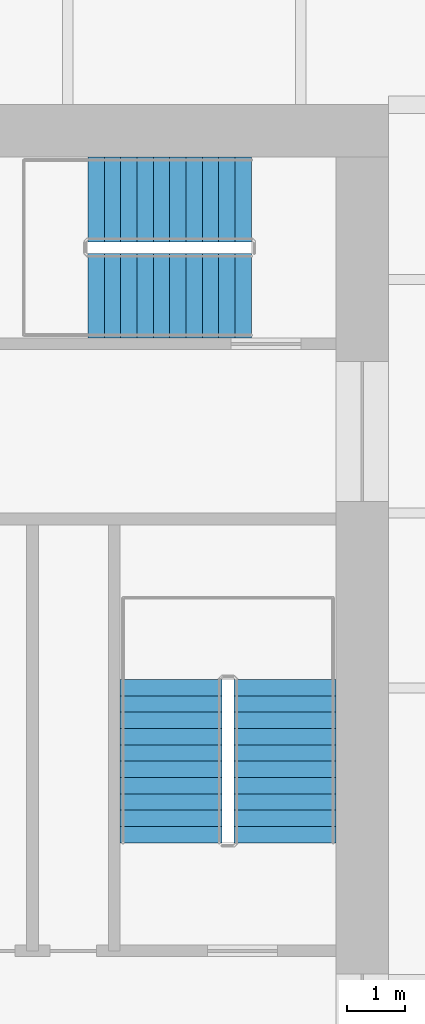
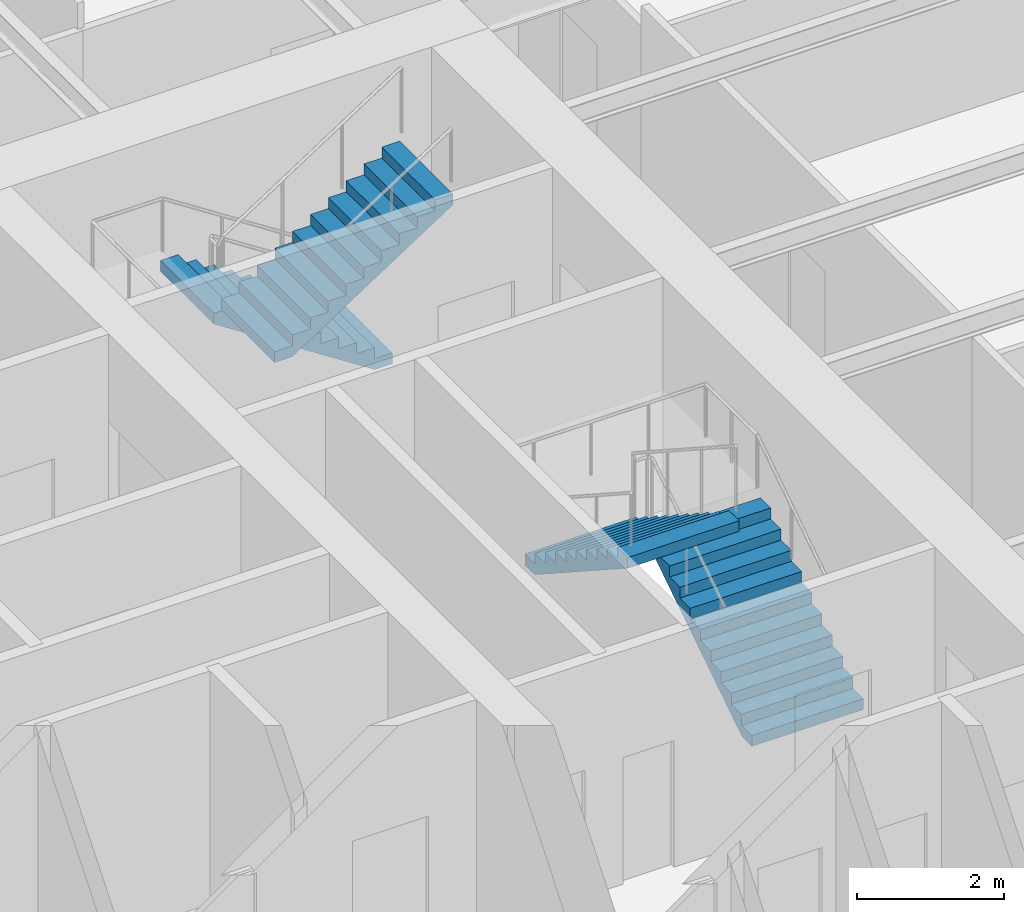
# One storey, part 8 of 10: 4 stair flights, 2 elements without a shape of their own.
"""IFC4 building model written with IfcOpenShell, lengths in metres."""

from ifc_helpers import new_model, si_unit, direction, frame, origin, place, context, subcontext, project, spatial, polyline, outline, extrude, material, type_object, element, aggregate, save


model = new_model("IFC4")

# Units and contexts
model_context = context("Model", 3, precision=1e-05, world=origin(), true_north=direction((0.0, 1.0)))
body_context = subcontext(model_context, "Body", "Model", "MODEL_VIEW")
ifc_project = project(units=[si_unit("LENGTHUNIT", "METRE"), si_unit("AREAUNIT", "SQUARE_METRE"), si_unit("VOLUMEUNIT", "CUBIC_METRE"), si_unit("PLANEANGLEUNIT", "RADIAN"), si_unit("MASSUNIT", "GRAM", prefix="KILO")], contexts=[model_context])

# Site, building, storey
site_placement = place(None, origin())
site = spatial("IfcSite", under=ifc_project, at=site_placement, CompositionType="ELEMENT")
building_placement = place(site_placement, origin())
building = spatial("IfcBuilding", under=site, at=building_placement, Name="Verdant Reach Tower", CompositionType="ELEMENT")
storey_placement = place(building_placement, frame((0.0, 0.0, 198.0)))
storey = spatial("IfcBuildingStorey", under=building, at=storey_placement, Name="L45", CompositionType="ELEMENT", Elevation=198.0)

# Stair, stair flights
ifc_material = material(Name="Concrete C40/50", Category="concrete")
stair_type = type_object("IfcStairType", Name="CO-STAIR", PredefinedType="HALF_TURN_STAIR", material=ifc_material)
stair_1_placement = place(storey_placement, origin())
stair_1 = element("IfcStair", 1, at=stair_1_placement, inside=storey, type_object=stair_type, Name="L45 Exit stair 2", PredefinedType="HALF_TURN_STAIR")
stair_flight_type = type_object("IfcStairFlightType", Name="CO-STAIR-FLIGHT", PredefinedType="STRAIGHT", material=ifc_material)
stair_flight_1_placement = place(storey_placement, frame((11.72509765625, 25.85009765625, 0.0), z_axis=(0.0, 0.0, 1.0), x_axis=(0.0, 1.0, 0.0)))
stair_flight_1 = element("IfcStairFlight", 2, at=stair_flight_1_placement, type_object=stair_flight_type, Name="ST-2 flight 1", NumberOfRisers=11, NumberOfTreads=10, PredefinedType="STRAIGHT", RiserHeight=0.181818182, TreadLength=0.28, context=body_context, shape_type="SweptSolid", body=[
    extrude(outline(polyline([(0.0, 0.0), (0.0, 0.181884765625), (0.280029296875, 0.181884765625), (0.280029296875, 0.363525390625), (0.56005859375, 0.363525390625), (0.56005859375, 0.54541015625), (0.840087890625, 0.54541015625), (0.840087890625, 0.727294921875), (1.1201171875, 0.727294921875), (1.1201171875, 0.9091796875), (1.39990234375, 0.9091796875), (1.39990234375, 1.0908203125), (1.679931640625, 1.0908203125), (1.679931640625, 1.272705078125), (1.9599609375, 1.272705078125), (1.9599609375, 1.45458984375), (2.239990234375, 1.45458984375), (2.239990234375, 1.636474609375), (2.52001953125, 1.636474609375), (2.52001953125, 1.818115234375), (2.800048828125, 1.818115234375), (2.800048828125, 2.0), (2.800048828125, 1.639404296875), (0.275146484375, 0.0), (0.0, 0.0)])), frame((0.0, 0.875, 0.0), z_axis=(0.0, -1.0, 0.0), x_axis=(1.0, 0.0, 0.0)), (0.0, 0.0, 1.0), 1.75),
])
stair_flight_2_placement = place(storey_placement, frame((9.77490234375, 28.64990234375, 2.0), z_axis=(0.0, 0.0, 1.0), x_axis=(0.0, -1.0, 0.0)))
stair_flight_2 = element("IfcStairFlight", 3, at=stair_flight_2_placement, type_object=stair_flight_type, Name="ST-2 flight 2", NumberOfRisers=11, NumberOfTreads=10, PredefinedType="STRAIGHT", RiserHeight=0.181818182, TreadLength=0.28, context=body_context, shape_type="SweptSolid", body=[
    extrude(outline(polyline([(0.0, 0.0), (0.0, 0.181884765625), (0.280029296875, 0.181884765625), (0.280029296875, 0.363525390625), (0.56005859375, 0.363525390625), (0.56005859375, 0.54541015625), (0.840087890625, 0.54541015625), (0.840087890625, 0.727294921875), (1.1201171875, 0.727294921875), (1.1201171875, 0.9091796875), (1.39990234375, 0.9091796875), (1.39990234375, 1.0908203125), (1.679931640625, 1.0908203125), (1.679931640625, 1.272705078125), (1.9599609375, 1.272705078125), (1.9599609375, 1.45458984375), (2.239990234375, 1.45458984375), (2.239990234375, 1.636474609375), (2.52001953125, 1.636474609375), (2.52001953125, 1.818115234375), (2.800048828125, 1.818115234375), (2.800048828125, 2.0), (2.800048828125, 1.639404296875), (0.275146484375, 0.0), (0.0, 0.0)])), frame((0.0, 0.875, 0.0), z_axis=(0.0, -1.0, 0.0), x_axis=(1.0, 0.0, 0.0)), (0.0, 0.0, 1.0), 1.75),
])
aggregate(stair_1, [stair_flight_1, stair_flight_2])

stair_2_placement = place(storey_placement, origin())
stair_2 = element("IfcStair", 4, at=stair_2_placement, inside=storey, type_object=stair_type, Name="L45 Exit stair 3", PredefinedType="HALF_TURN_STAIR")
stair_flight_3_placement = place(storey_placement, frame((11.14990234375, 36.875, 0.0), z_axis=(0.0, 0.0, 1.0), x_axis=(-1.0, 0.0, 0.0)))
stair_flight_3 = element("IfcStairFlight", 5, at=stair_flight_3_placement, type_object=stair_flight_type, Name="ST-3 flight 1", NumberOfRisers=11, NumberOfTreads=10, PredefinedType="STRAIGHT", RiserHeight=0.181818182, TreadLength=0.28, context=body_context, shape_type="SweptSolid", body=[
    extrude(outline(polyline([(0.0, 0.0), (0.0, 0.181884765625), (0.280029296875, 0.181884765625), (0.280029296875, 0.363525390625), (0.56005859375, 0.363525390625), (0.56005859375, 0.54541015625), (0.840087890625, 0.54541015625), (0.840087890625, 0.727294921875), (1.1201171875, 0.727294921875), (1.1201171875, 0.9091796875), (1.39990234375, 0.9091796875), (1.39990234375, 1.0908203125), (1.679931640625, 1.0908203125), (1.679931640625, 1.272705078125), (1.9599609375, 1.272705078125), (1.9599609375, 1.45458984375), (2.239990234375, 1.45458984375), (2.239990234375, 1.636474609375), (2.52001953125, 1.636474609375), (2.52001953125, 1.818115234375), (2.800048828125, 1.818115234375), (2.800048828125, 2.0), (2.800048828125, 1.639404296875), (0.275146484375, 0.0), (0.0, 0.0)])), frame((0.0, 0.72509765625, 0.0), z_axis=(0.0, -1.0, 0.0), x_axis=(1.0, 0.0, 0.0)), (0.0, 0.0, 1.0), 1.449951171875),
])
stair_flight_4_placement = place(storey_placement, frame((8.35009765625, 35.22509765625, 2.0), z_axis=(0.0, 0.0, 1.0), x_axis=(1.0, 0.0, 0.0)))
stair_flight_4 = element("IfcStairFlight", 6, at=stair_flight_4_placement, type_object=stair_flight_type, Name="ST-3 flight 2", NumberOfRisers=11, NumberOfTreads=10, PredefinedType="STRAIGHT", RiserHeight=0.181818182, TreadLength=0.28, context=body_context, shape_type="SweptSolid", body=[
    extrude(outline(polyline([(0.0, 0.0), (0.0, 0.181884765625), (0.280029296875, 0.181884765625), (0.280029296875, 0.363525390625), (0.56005859375, 0.363525390625), (0.56005859375, 0.54541015625), (0.840087890625, 0.54541015625), (0.840087890625, 0.727294921875), (1.1201171875, 0.727294921875), (1.1201171875, 0.9091796875), (1.39990234375, 0.9091796875), (1.39990234375, 1.0908203125), (1.679931640625, 1.0908203125), (1.679931640625, 1.272705078125), (1.9599609375, 1.272705078125), (1.9599609375, 1.45458984375), (2.239990234375, 1.45458984375), (2.239990234375, 1.636474609375), (2.52001953125, 1.636474609375), (2.52001953125, 1.818115234375), (2.800048828125, 1.818115234375), (2.800048828125, 2.0), (2.800048828125, 1.639404296875), (0.275146484375, 0.0), (0.0, 0.0)])), frame((0.0, 0.72509765625, 0.0), z_axis=(0.0, -1.0, 0.0), x_axis=(1.0, 0.0, 0.0)), (0.0, 0.0, 1.0), 1.449951171875),
])
aggregate(stair_2, [stair_flight_3, stair_flight_4])

save(model, "model.ifc")
